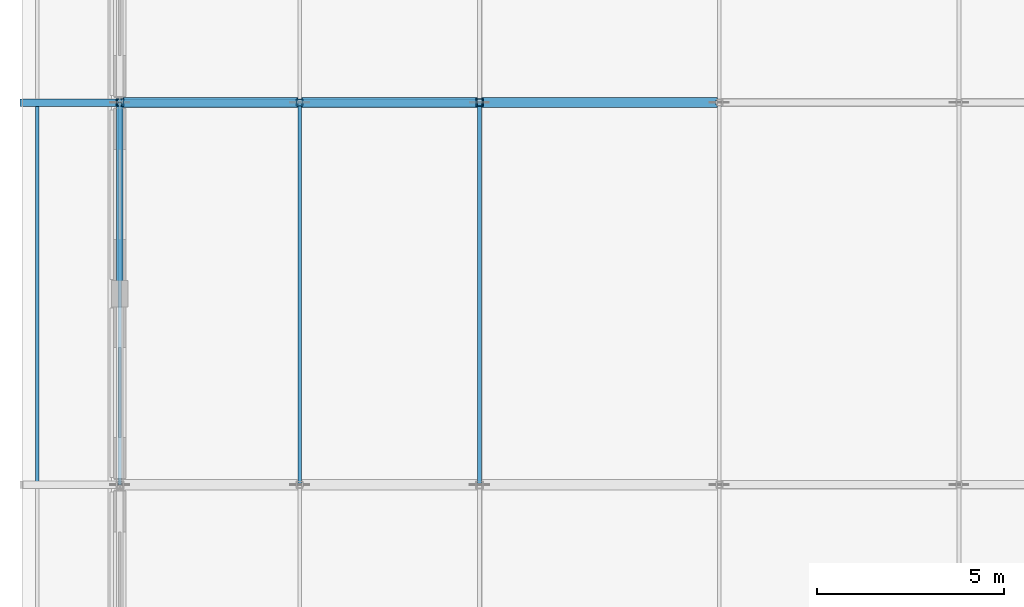
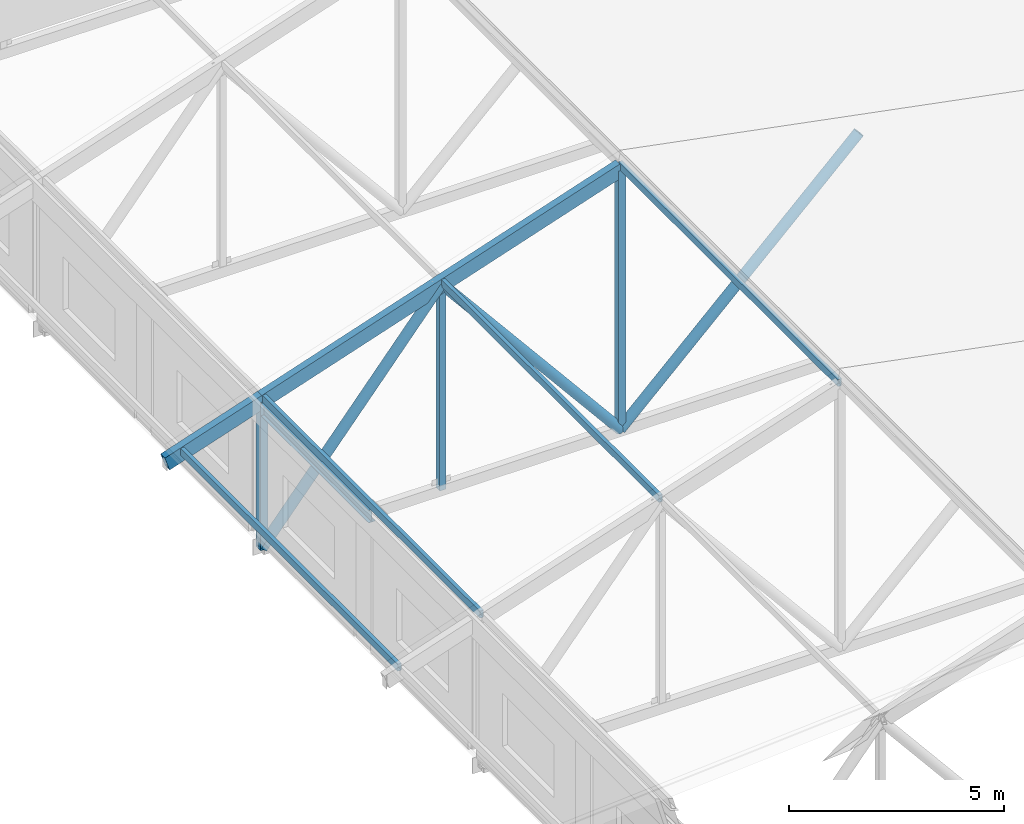
# One storey, part 65 of 200: 12 members, 1 beam.
"""IFC4 building model written with IfcOpenShell, lengths in metres."""

from ifc_helpers import new_model, si_unit, direction, frame, origin, origin_2d, place, context, subcontext, project, spatial, hollow_rectangle, hollow_circle, i_section, extrude, material, material_profile, profile_set, type_object, element, save


model = new_model("IFC4")

# Units and contexts
model_context = context("Model", 3, precision=1e-05, world=origin(), true_north=direction((0.0, 1.0)))
body_context = subcontext(model_context, "Body", "Model", "MODEL_VIEW")
ifc_project = project(units=[si_unit("LENGTHUNIT", "METRE"), si_unit("AREAUNIT", "SQUARE_METRE"), si_unit("VOLUMEUNIT", "CUBIC_METRE"), si_unit("PLANEANGLEUNIT", "RADIAN"), si_unit("MASSUNIT", "GRAM", prefix="KILO")], contexts=[model_context])

# Site, building, storey
site_placement = place(None, origin())
site = spatial("IfcSite", under=ifc_project, at=site_placement, CompositionType="ELEMENT")
building_placement = place(site_placement, origin())
building = spatial("IfcBuilding", under=site, at=building_placement, Name="Vondelvale Polytechnic", CompositionType="ELEMENT")
storey_placement = place(building_placement, frame((0.0, 0.0, 13.800048828125)))
storey = spatial("IfcBuildingStorey", under=building, at=storey_placement, Name="L03", CompositionType="ELEMENT", Elevation=13.800048828125)

# Beam
ifc_material_1 = material(Name="Steel 300PLUS (fy = 300 MPa)", Category="steel")
ifc_material_profile_1 = material_profile(ifc_material_1, i_section(OverallWidth=0.172119140625, OverallDepth=0.35888671875, WebThickness=0.008056640625, FlangeThickness=0.012939453125, FilletRadius=0.011474609375, at=origin_2d()), Name="360UB56.7")
ifc_profile_set_1 = profile_set([ifc_material_profile_1], Name="Steel 300PLUS (fy = 300 MPa)")
beam_type = type_object("IfcBeamType", Name="BM-UB360H", PredefinedType="BEAM", material=ifc_profile_set_1)
beam_placement = place(storey_placement, frame((0.0, 96.89990234375, 3.570556640625), z_axis=(0.0, 1.0, 0.0), x_axis=(-1.0, 0.0, 0.0)))
element("IfcBeam", 1, at=beam_placement, inside=storey, type_object=beam_type, Name="L03 WE B-15", PredefinedType="BEAM", context=body_context, shape_type="SweptSolid", body=[
    extrude(i_section(OverallWidth=0.172119140625, OverallDepth=0.35888671875, WebThickness=0.008056640625, FlangeThickness=0.012939453125, FilletRadius=0.011474609375, at=origin_2d()), origin(), (0.0, 0.0, 1.0), 5.10009765625),
])

# Members
ifc_material_2 = material(Name="Steel C350L0 (fy = 350 MPa)", Category="steel")
ifc_material_profile_2 = material_profile(ifc_material_2, hollow_rectangle(XDim=0.10009765625, YDim=0.199951171875, WallThickness=0.006103515625, at=origin_2d()), Name="200x100x6.0RHS")
ifc_profile_set_2 = profile_set([ifc_material_profile_2], Name="Steel C350L0 (fy = 350 MPa)")
member_type_1 = type_object("IfcMemberType", Name="PURLIN RHS200", PredefinedType="PURLIN", material=ifc_profile_set_2)
for number, where, z_axis, x_axis, name in (
    (2, (-2.199951171875, 91.800048828125, 3.140869140625), (0.0, 1.0, 0.0), (-1.0, 0.0, 0.0), "Workshop roof purlin bay 5"),
    (3, (0.0, 91.800048828125, 3.874267578125), (0.0, 1.0, 0.0), (-1.0, 0.0, 0.0), "Workshop roof purlin bay 5"),
    (4, (4.800048828125, 91.800048828125, 5.47412109375), (0.0, 1.0, 0.0), (-1.0, 0.0, 0.0), "Workshop roof purlin bay 5"),
    (5, (9.60009765625, 91.800048828125, 7.07421875), (0.0, 1.0, 0.0), (-1.0, 0.0, 0.0), "Workshop roof purlin bay 5"),
):
    element("IfcMember", number, at=place(storey_placement, frame(where, z_axis=z_axis, x_axis=x_axis)), inside=storey, type_object=member_type_1, Name=name, PredefinedType="PURLIN", context=body_context, shape_type="SweptSolid", body=[
        extrude(hollow_rectangle(XDim=0.10009765625, YDim=0.199951171875, WallThickness=0.006103515625, at=origin_2d()), origin(), (0.0, 0.0, 1.0), 10.199951171875),
    ])
ifc_material_profile_3 = material_profile(ifc_material_2, hollow_circle(Radius=0.136474609375, WallThickness=0.00927734375, at=origin_2d()), Name="273.1x9.3CHS")
ifc_profile_set_3 = profile_set([ifc_material_profile_3], Name="Steel C350L0 (fy = 350 MPa)")
member_type_2 = type_object("IfcMemberType", Name="ROOF TRUSS BRACE 273CHS", PredefinedType="BRACE", material=ifc_profile_set_3)
for number, where, z_axis, x_axis, name in (
    (6, (0.0, 102.0, -0.420166015625), (0.6375683777, 0.0, 0.770393771884), (0.0, 1.0, 0.0), "ROOF TRUSS TR-06 web diagonal 1"),
    (7, (4.800048828125, 102.0, 5.3798828125), (0.6375683777, 0.0, -0.770393771884), (0.0, 1.0, 0.0), "ROOF TRUSS TR-06 web diagonal 2"),
):
    element("IfcMember", number, at=place(storey_placement, frame(where, z_axis=z_axis, x_axis=x_axis)), inside=storey, type_object=member_type_2, Name=name, PredefinedType="BRACE", context=body_context, shape_type="SweptSolid", body=[
        extrude(hollow_circle(Radius=0.136474609375, WallThickness=0.00927734375, at=origin_2d()), origin(), (0.0, 0.0, 1.0), 7.528564453125),
    ])
member_1_placement = place(storey_placement, frame((9.60009765625, 102.0, -0.420166015625), z_axis=(0.720102098263, 0.0, 0.69386812009), x_axis=(0.0, 1.0, 0.0)))
element("IfcMember", 8, at=member_1_placement, inside=storey, type_object=member_type_2, Name="ROOF TRUSS TR-06 web diagonal 3", PredefinedType="BRACE", context=body_context, shape_type="SweptSolid", body=[
    extrude(hollow_circle(Radius=0.136474609375, WallThickness=0.00927734375, at=origin_2d()), origin(), (0.0, 0.0, 1.0), 8.887451171875),
])
ifc_material_profile_4 = material_profile(ifc_material_2, hollow_rectangle(XDim=0.175048828125, YDim=0.175048828125, WallThickness=0.006103515625, at=origin_2d()), Name="175x175x6.0SHS")
ifc_profile_set_4 = profile_set([ifc_material_profile_4], Name="Steel C350L0 (fy = 350 MPa)")
member_type_3 = type_object("IfcMemberType", Name="ROOF TRUSS POST 175SHS", PredefinedType="POST", material=ifc_profile_set_4)
member_2_placement = place(storey_placement, frame((4.800048828125, 102.0, -0.420166015625), z_axis=(0.0, 0.0, 1.0), x_axis=(1.0, 0.0, 0.0)))
element("IfcMember", 9, at=member_2_placement, inside=storey, type_object=member_type_3, Name="ROOF TRUSS TR-06 vertical post 1", PredefinedType="POST", context=body_context, shape_type="SweptSolid", body=[
    extrude(hollow_rectangle(XDim=0.175048828125, YDim=0.175048828125, WallThickness=0.006103515625, at=origin_2d()), origin(), (0.0, 0.0, 1.0), 5.800048828125),
])
ifc_material_profile_5 = material_profile(ifc_material_2, hollow_rectangle(XDim=0.199951171875, YDim=0.199951171875, WallThickness=0.009033203125, at=origin_2d()), Name="200x200x9.0SHS")
ifc_profile_set_5 = profile_set([ifc_material_profile_5], Name="Steel C350L0 (fy = 350 MPa)")
member_type_4 = type_object("IfcMemberType", Name="ROOF TRUSS POST 200SHS", PredefinedType="POST", material=ifc_profile_set_5)
member_3_placement = place(storey_placement, frame((0.0, 102.0, -0.420166015625), z_axis=(0.0, 0.0, 1.0), x_axis=(1.0, 0.0, 0.0)))
element("IfcMember", 10, at=member_3_placement, inside=storey, type_object=member_type_4, Name="ROOF TRUSS TR-06 vertical post 0", PredefinedType="POST", context=body_context, shape_type="SweptSolid", body=[
    extrude(hollow_rectangle(XDim=0.199951171875, YDim=0.199951171875, WallThickness=0.009033203125, at=origin_2d()), origin(), (0.0, 0.0, 1.0), 4.2001953125),
])
member_4_placement = place(storey_placement, frame((9.60009765625, 102.0, -0.420166015625), z_axis=(0.0, 0.0, 1.0), x_axis=(1.0, 0.0, 0.0)))
element("IfcMember", 11, at=member_4_placement, inside=storey, type_object=member_type_4, Name="ROOF TRUSS TR-06 vertical post 2", PredefinedType="POST", context=body_context, shape_type="SweptSolid", body=[
    extrude(hollow_rectangle(XDim=0.199951171875, YDim=0.199951171875, WallThickness=0.009033203125, at=origin_2d()), origin(), (0.0, 0.0, 1.0), 7.400146484375),
])
ifc_material_profile_6 = material_profile(ifc_material_2, hollow_rectangle(XDim=0.199951171875, YDim=0.39990234375, WallThickness=0.010009765625, at=origin_2d()), Name="400x200x10.0RHS")
ifc_profile_set_6 = profile_set([ifc_material_profile_6], Name="Steel C350L0 (fy = 350 MPa)")
member_type_5 = type_object("IfcMemberType", Name="ROOF TRUSS TOP CHORD 400RHS", PredefinedType="CHORD", material=ifc_profile_set_6)
member_5_placement = place(storey_placement, frame((-2.60009765625, 102.0, 2.913330078125), z_axis=(0.948683298051, 0.0, 0.316227766017), x_axis=(0.0, 1.0, 0.0)))
element("IfcMember", 12, at=member_5_placement, inside=storey, type_object=member_type_5, Name="ROOF TRUSS TR-06 top chord 1", PredefinedType="CHORD", context=body_context, shape_type="SweptSolid", body=[
    extrude(hollow_rectangle(XDim=0.199951171875, YDim=0.39990234375, WallThickness=0.010009765625, at=origin_2d()), origin(), (0.0, 0.0, 1.0), 2.74072265625),
])
member_6_placement = place(storey_placement, frame((0.0, 102.0, 3.780029296875), z_axis=(0.948685710631, 0.0, 0.316220528184), x_axis=(0.0, 1.0, 0.0)))
element("IfcMember", 13, at=member_6_placement, inside=storey, type_object=member_type_5, Name="ROOF TRUSS TR-06 top chord 2", PredefinedType="CHORD", context=body_context, shape_type="SweptSolid", body=[
    extrude(hollow_rectangle(XDim=0.199951171875, YDim=0.39990234375, WallThickness=0.010009765625, at=origin_2d()), origin(), (0.0, 0.0, 1.0), 10.119384765625),
])

save(model, "model.ifc")
